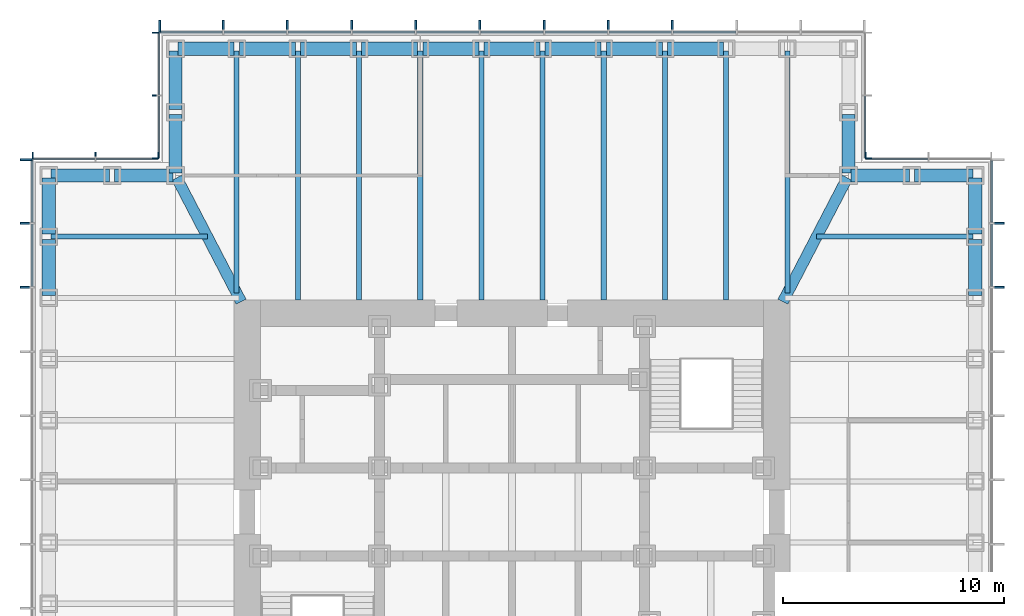
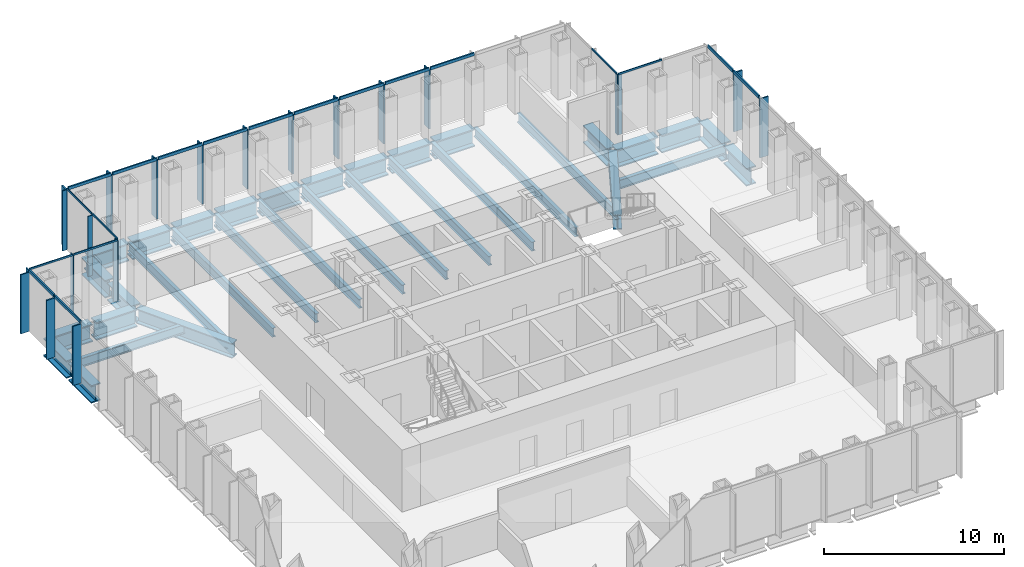
# One storey, part 5 of 16: 41 members, 34 beams, 7 elements without a shape of their own.
"""IFC4 building model written with IfcOpenShell, lengths in metres."""

from ifc_helpers import new_model, si_unit, direction, frame, origin, origin_2d, place, context, subcontext, project, spatial, rectangle, i_section, extrude, material, material_profile, profile_set, type_object, element, aggregate, save


model = new_model("IFC4")

# Units and contexts
model_context = context("Model", 3, precision=1e-05, world=origin(), true_north=direction((0.0, 1.0)))
body_context = subcontext(model_context, "Body", "Model", "MODEL_VIEW")
ifc_project = project(units=[si_unit("LENGTHUNIT", "METRE"), si_unit("AREAUNIT", "SQUARE_METRE"), si_unit("VOLUMEUNIT", "CUBIC_METRE"), si_unit("PLANEANGLEUNIT", "RADIAN"), si_unit("MASSUNIT", "GRAM", prefix="KILO")], contexts=[model_context])

# Site, building, storey
site_placement = place(None, origin())
site = spatial("IfcSite", under=ifc_project, at=site_placement, CompositionType="ELEMENT")
building_placement = place(site_placement, origin())
building = spatial("IfcBuilding", under=site, at=building_placement, Name="Daluyong Arena Tower", CompositionType="ELEMENT")
storey_placement = place(building_placement, frame((0.0, 0.0, 275.5)))
storey = spatial("IfcBuildingStorey", under=building, at=storey_placement, Name="L62", CompositionType="ELEMENT", Elevation=275.5)

# Curtain wall, members
ifc_material_1 = material(Name="Bronze anodised aluminium and glass", Category="aluminium")
curtain_wall_type_1 = type_object("IfcCurtainWallType", Name="Curtain wall CW4", PredefinedType="USERDEFINED", material=ifc_material_1)
curtain_wall_1_placement = place(storey_placement, origin())
curtain_wall_1 = element("IfcCurtainWall", 1, at=curtain_wall_1_placement, inside=storey, type_object=curtain_wall_type_1, Name="curtain wall L62 E", ObjectType="UNITISED CURTAIN WALL", PredefinedType="USERDEFINED")
ifc_material_2 = material(Name="Bronze anodised aluminium fin", Category="aluminium")
ifc_material_profile_1 = material_profile(ifc_material_2, rectangle(XDim=0.550048828125, YDim=0.090087890625, at=origin_2d()))
ifc_profile_set_1 = profile_set([ifc_material_profile_1], Name="Bronze anodised aluminium fin")
member_type_1 = type_object("IfcMemberType", Name="CW4 bronze fin 550x90", PredefinedType="MULLION", material=ifc_profile_set_1)
member_1_placement = place(storey_placement, frame((78.02490234375, 90.181884765625, 0.0), z_axis=(0.0, 0.0, 1.0), x_axis=(-1.0, 0.0, 0.0)))
member_1 = element("IfcMember", 2, at=member_1_placement, type_object=member_type_1, Name="curtain wall L62 E fin 10", PredefinedType="MULLION", context=body_context, shape_type="SweptSolid", body=[
    extrude(rectangle(XDim=0.550048828125, YDim=0.090087890625, at=origin_2d()), origin(), (0.0, 0.0, 1.0), 4.0),
])
member_2_placement = place(storey_placement, frame((78.02490234375, 93.0908203125, 0.0), z_axis=(0.0, 0.0, 1.0), x_axis=(-1.0, 0.0, 0.0)))
member_2 = element("IfcMember", 3, at=member_2_placement, type_object=member_type_1, Name="curtain wall L62 E fin 11", PredefinedType="MULLION", context=body_context, shape_type="SweptSolid", body=[
    extrude(rectangle(XDim=0.550048828125, YDim=0.090087890625, at=origin_2d()), origin(), (0.0, 0.0, 1.0), 4.0),
])

curtain_wall_2_placement = place(storey_placement, origin())
curtain_wall_2 = element("IfcCurtainWall", 4, at=curtain_wall_2_placement, inside=storey, type_object=curtain_wall_type_1, Name="curtain wall L62 N", ObjectType="UNITISED CURTAIN WALL", PredefinedType="USERDEFINED")
member_3_placement = place(storey_placement, frame((63.272705078125, 102.02490234375, 0.0), z_axis=(0.0, 0.0, 1.0), x_axis=(0.0, -1.0, 0.0)))
member_3 = element("IfcMember", 5, at=member_3_placement, type_object=member_type_1, Name="curtain wall L62 N fin 4", PredefinedType="MULLION", context=body_context, shape_type="SweptSolid", body=[
    extrude(rectangle(XDim=0.550048828125, YDim=0.090087890625, at=origin_2d()), origin(), (0.0, 0.0, 1.0), 4.0),
])
member_4_placement = place(storey_placement, frame((60.363525390625, 102.02490234375, 0.0), z_axis=(0.0, 0.0, 1.0), x_axis=(0.0, -1.0, 0.0)))
member_4 = element("IfcMember", 6, at=member_4_placement, type_object=member_type_1, Name="curtain wall L62 N fin 5", PredefinedType="MULLION", context=body_context, shape_type="SweptSolid", body=[
    extrude(rectangle(XDim=0.550048828125, YDim=0.090087890625, at=origin_2d()), origin(), (0.0, 0.0, 1.0), 4.0),
])
member_5_placement = place(storey_placement, frame((57.45458984375, 102.02490234375, 0.0), z_axis=(0.0, 0.0, 1.0), x_axis=(0.0, -1.0, 0.0)))
member_5 = element("IfcMember", 7, at=member_5_placement, type_object=member_type_1, Name="curtain wall L62 N fin 6", PredefinedType="MULLION", context=body_context, shape_type="SweptSolid", body=[
    extrude(rectangle(XDim=0.550048828125, YDim=0.090087890625, at=origin_2d()), origin(), (0.0, 0.0, 1.0), 4.0),
])
member_6_placement = place(storey_placement, frame((54.54541015625, 102.02490234375, 0.0), z_axis=(0.0, 0.0, 1.0), x_axis=(0.0, -1.0, 0.0)))
member_6 = element("IfcMember", 8, at=member_6_placement, type_object=member_type_1, Name="curtain wall L62 N fin 7", PredefinedType="MULLION", context=body_context, shape_type="SweptSolid", body=[
    extrude(rectangle(XDim=0.550048828125, YDim=0.090087890625, at=origin_2d()), origin(), (0.0, 0.0, 1.0), 4.0),
])
member_7_placement = place(storey_placement, frame((51.636474609375, 102.02490234375, 0.0), z_axis=(0.0, 0.0, 1.0), x_axis=(0.0, -1.0, 0.0)))
member_7 = element("IfcMember", 9, at=member_7_placement, type_object=member_type_1, Name="curtain wall L62 N fin 8", PredefinedType="MULLION", context=body_context, shape_type="SweptSolid", body=[
    extrude(rectangle(XDim=0.550048828125, YDim=0.090087890625, at=origin_2d()), origin(), (0.0, 0.0, 1.0), 4.0),
])
member_8_placement = place(storey_placement, frame((48.727294921875, 102.02490234375, 0.0), z_axis=(0.0, 0.0, 1.0), x_axis=(0.0, -1.0, 0.0)))
member_8 = element("IfcMember", 10, at=member_8_placement, type_object=member_type_1, Name="curtain wall L62 N fin 9", PredefinedType="MULLION", context=body_context, shape_type="SweptSolid", body=[
    extrude(rectangle(XDim=0.550048828125, YDim=0.090087890625, at=origin_2d()), origin(), (0.0, 0.0, 1.0), 4.0),
])
member_9_placement = place(storey_placement, frame((45.818115234375, 102.02490234375, 0.0), z_axis=(0.0, 0.0, 1.0), x_axis=(0.0, -1.0, 0.0)))
member_9 = element("IfcMember", 11, at=member_9_placement, type_object=member_type_1, Name="curtain wall L62 N fin 10", PredefinedType="MULLION", context=body_context, shape_type="SweptSolid", body=[
    extrude(rectangle(XDim=0.550048828125, YDim=0.090087890625, at=origin_2d()), origin(), (0.0, 0.0, 1.0), 4.0),
])
member_10_placement = place(storey_placement, frame((42.9091796875, 102.02490234375, 0.0), z_axis=(0.0, 0.0, 1.0), x_axis=(0.0, -1.0, 0.0)))
member_10 = element("IfcMember", 12, at=member_10_placement, type_object=member_type_1, Name="curtain wall L62 N fin 11", PredefinedType="MULLION", context=body_context, shape_type="SweptSolid", body=[
    extrude(rectangle(XDim=0.550048828125, YDim=0.090087890625, at=origin_2d()), origin(), (0.0, 0.0, 1.0), 4.0),
])
member_11_placement = place(storey_placement, frame((40.044921875, 102.02490234375, 0.0), z_axis=(0.0, 0.0, 1.0), x_axis=(0.0, -1.0, 0.0)))
member_11 = element("IfcMember", 13, at=member_11_placement, type_object=member_type_1, Name="curtain wall L62 N fin 12", PredefinedType="MULLION", context=body_context, shape_type="SweptSolid", body=[
    extrude(rectangle(XDim=0.550048828125, YDim=0.090087890625, at=origin_2d()), origin(), (0.0, 0.0, 1.0), 4.0),
])

curtain_wall_3_placement = place(storey_placement, origin())
curtain_wall_3 = element("IfcCurtainWall", 14, at=curtain_wall_3_placement, inside=storey, type_object=curtain_wall_type_1, Name="curtain wall L62 W", ObjectType="UNITISED CURTAIN WALL", PredefinedType="USERDEFINED")
member_12_placement = place(storey_placement, frame((33.97509765625, 95.955078125, 0.0), z_axis=(0.0, 0.0, 1.0), x_axis=(1.0, 0.0, 0.0)))
member_12 = element("IfcMember", 15, at=member_12_placement, type_object=member_type_1, Name="curtain wall L62 W fin 1", PredefinedType="MULLION", context=body_context, shape_type="SweptSolid", body=[
    extrude(rectangle(XDim=0.550048828125, YDim=0.090087890625, at=origin_2d()), origin(), (0.0, 0.0, 1.0), 4.0),
])
member_13_placement = place(storey_placement, frame((33.97509765625, 93.0908203125, 0.0), z_axis=(0.0, 0.0, 1.0), x_axis=(1.0, 0.0, 0.0)))
member_13 = element("IfcMember", 16, at=member_13_placement, type_object=member_type_1, Name="curtain wall L62 W fin 2", PredefinedType="MULLION", context=body_context, shape_type="SweptSolid", body=[
    extrude(rectangle(XDim=0.550048828125, YDim=0.090087890625, at=origin_2d()), origin(), (0.0, 0.0, 1.0), 4.0),
])
member_14_placement = place(storey_placement, frame((33.97509765625, 90.181884765625, 0.0), z_axis=(0.0, 0.0, 1.0), x_axis=(1.0, 0.0, 0.0)))
member_14 = element("IfcMember", 17, at=member_14_placement, type_object=member_type_1, Name="curtain wall L62 W fin 3", PredefinedType="MULLION", context=body_context, shape_type="SweptSolid", body=[
    extrude(rectangle(XDim=0.550048828125, YDim=0.090087890625, at=origin_2d()), origin(), (0.0, 0.0, 1.0), 4.0),
])

# Member
ifc_material_3 = material(Name="Bronze anodised aluminium", Category="aluminium")
ifc_material_profile_2 = material_profile(ifc_material_3, rectangle(XDim=0.090087890625, YDim=0.199951171875, at=origin_2d()))
ifc_profile_set_2 = profile_set([ifc_material_profile_2], Name="Bronze anodised aluminium")
member_type_2 = type_object("IfcMemberType", Name="CW4 stack transom 200x90", PredefinedType="USERDEFINED", material=ifc_profile_set_2)
member_15_placement = place(storey_placement, frame((77.75, 90.226806640625, 4.10009765625), z_axis=(0.0, 1.0, 0.0), x_axis=(-1.0, 0.0, 0.0)))
member_15 = element("IfcMember", 18, at=member_15_placement, type_object=member_type_2, Name="curtain wall L62 E transom 10", ObjectType="TRANSOM", PredefinedType="USERDEFINED", context=body_context, shape_type="SweptSolid", body=[
    extrude(rectangle(XDim=0.090087890625, YDim=0.199951171875, at=origin_2d()), origin(), (0.0, 0.0, 1.0), 2.819091796875),
])

member_16_placement = place(storey_placement, frame((77.75, 93.135986328125, 4.10009765625), z_axis=(0.0, 1.0, 0.0), x_axis=(-1.0, 0.0, 0.0)))
member_16 = element("IfcMember", 19, at=member_16_placement, type_object=member_type_2, Name="curtain wall L62 E transom 11", ObjectType="TRANSOM", PredefinedType="USERDEFINED", context=body_context, shape_type="SweptSolid", body=[
    extrude(rectangle(XDim=0.090087890625, YDim=0.199951171875, at=origin_2d()), origin(), (0.0, 0.0, 1.0), 2.77392578125),
])

aggregate(curtain_wall_1, [member_1, member_2, member_15, member_16])

member_17_placement = place(storey_placement, frame((66.13671875, 101.75, 4.10009765625), z_axis=(-1.0, 0.0, 0.0), x_axis=(0.0, -1.0, 0.0)))
member_17 = element("IfcMember", 20, at=member_17_placement, type_object=member_type_2, Name="curtain wall L62 N transom 3", ObjectType="TRANSOM", PredefinedType="USERDEFINED", context=body_context, shape_type="SweptSolid", body=[
    extrude(rectangle(XDim=0.090087890625, YDim=0.199951171875, at=origin_2d()), origin(), (0.0, 0.0, 1.0), 2.819091796875),
])

member_18_placement = place(storey_placement, frame((63.227783203125, 101.75, 4.10009765625), z_axis=(-1.0, 0.0, 0.0), x_axis=(0.0, -1.0, 0.0)))
member_18 = element("IfcMember", 21, at=member_18_placement, type_object=member_type_2, Name="curtain wall L62 N transom 4", ObjectType="TRANSOM", PredefinedType="USERDEFINED", context=body_context, shape_type="SweptSolid", body=[
    extrude(rectangle(XDim=0.090087890625, YDim=0.199951171875, at=origin_2d()), origin(), (0.0, 0.0, 1.0), 2.819091796875),
])

member_19_placement = place(storey_placement, frame((60.318603515625, 101.75, 4.10009765625), z_axis=(-1.0, 0.0, 0.0), x_axis=(0.0, -1.0, 0.0)))
member_19 = element("IfcMember", 22, at=member_19_placement, type_object=member_type_2, Name="curtain wall L62 N transom 5", ObjectType="TRANSOM", PredefinedType="USERDEFINED", context=body_context, shape_type="SweptSolid", body=[
    extrude(rectangle(XDim=0.090087890625, YDim=0.199951171875, at=origin_2d()), origin(), (0.0, 0.0, 1.0), 2.819091796875),
])

member_20_placement = place(storey_placement, frame((57.409423828125, 101.75, 4.10009765625), z_axis=(-1.0, 0.0, 0.0), x_axis=(0.0, -1.0, 0.0)))
member_20 = element("IfcMember", 23, at=member_20_placement, type_object=member_type_2, Name="curtain wall L62 N transom 6", ObjectType="TRANSOM", PredefinedType="USERDEFINED", context=body_context, shape_type="SweptSolid", body=[
    extrude(rectangle(XDim=0.090087890625, YDim=0.199951171875, at=origin_2d()), origin(), (0.0, 0.0, 1.0), 2.81884765625),
])

member_21_placement = place(storey_placement, frame((54.50048828125, 101.75, 4.10009765625), z_axis=(-1.0, 0.0, 0.0), x_axis=(0.0, -1.0, 0.0)))
member_21 = element("IfcMember", 24, at=member_21_placement, type_object=member_type_2, Name="curtain wall L62 N transom 7", ObjectType="TRANSOM", PredefinedType="USERDEFINED", context=body_context, shape_type="SweptSolid", body=[
    extrude(rectangle(XDim=0.090087890625, YDim=0.199951171875, at=origin_2d()), origin(), (0.0, 0.0, 1.0), 2.819091796875),
])

member_22_placement = place(storey_placement, frame((51.59130859375, 101.75, 4.10009765625), z_axis=(-1.0, 0.0, 0.0), x_axis=(0.0, -1.0, 0.0)))
member_22 = element("IfcMember", 25, at=member_22_placement, type_object=member_type_2, Name="curtain wall L62 N transom 8", ObjectType="TRANSOM", PredefinedType="USERDEFINED", context=body_context, shape_type="SweptSolid", body=[
    extrude(rectangle(XDim=0.090087890625, YDim=0.199951171875, at=origin_2d()), origin(), (0.0, 0.0, 1.0), 2.819091796875),
])

member_23_placement = place(storey_placement, frame((48.682373046875, 101.75, 4.10009765625), z_axis=(-1.0, 0.0, 0.0), x_axis=(0.0, -1.0, 0.0)))
member_23 = element("IfcMember", 26, at=member_23_placement, type_object=member_type_2, Name="curtain wall L62 N transom 9", ObjectType="TRANSOM", PredefinedType="USERDEFINED", context=body_context, shape_type="SweptSolid", body=[
    extrude(rectangle(XDim=0.090087890625, YDim=0.199951171875, at=origin_2d()), origin(), (0.0, 0.0, 1.0), 2.819091796875),
])

member_24_placement = place(storey_placement, frame((45.773193359375, 101.75, 4.10009765625), z_axis=(-1.0, 0.0, 0.0), x_axis=(0.0, -1.0, 0.0)))
member_24 = element("IfcMember", 27, at=member_24_placement, type_object=member_type_2, Name="curtain wall L62 N transom 10", ObjectType="TRANSOM", PredefinedType="USERDEFINED", context=body_context, shape_type="SweptSolid", body=[
    extrude(rectangle(XDim=0.090087890625, YDim=0.199951171875, at=origin_2d()), origin(), (0.0, 0.0, 1.0), 2.819091796875),
])

member_25_placement = place(storey_placement, frame((42.864013671875, 101.75, 4.10009765625), z_axis=(-1.0, 0.0, 0.0), x_axis=(0.0, -1.0, 0.0)))
member_25 = element("IfcMember", 28, at=member_25_placement, type_object=member_type_2, Name="curtain wall L62 N transom 11", ObjectType="TRANSOM", PredefinedType="USERDEFINED", context=body_context, shape_type="SweptSolid", body=[
    extrude(rectangle(XDim=0.090087890625, YDim=0.199951171875, at=origin_2d()), origin(), (0.0, 0.0, 1.0), 2.77392578125),
])

aggregate(curtain_wall_2, [member_3, member_4, member_5, member_6, member_7, member_8, member_9, member_10, member_11, member_17, member_18, member_19, member_20, member_21, member_22, member_23, member_24, member_25])

member_26_placement = place(storey_placement, frame((34.25, 95.909912109375, 4.10009765625), z_axis=(0.0, -1.0, 0.0), x_axis=(1.0, 0.0, 0.0)))
member_26 = element("IfcMember", 29, at=member_26_placement, type_object=member_type_2, Name="curtain wall L62 W transom 1", ObjectType="TRANSOM", PredefinedType="USERDEFINED", context=body_context, shape_type="SweptSolid", body=[
    extrude(rectangle(XDim=0.090087890625, YDim=0.199951171875, at=origin_2d()), origin(), (0.0, 0.0, 1.0), 2.77392578125),
])

member_27_placement = place(storey_placement, frame((34.25, 93.0458984375, 4.10009765625), z_axis=(0.0, -1.0, 0.0), x_axis=(1.0, 0.0, 0.0)))
member_27 = element("IfcMember", 30, at=member_27_placement, type_object=member_type_2, Name="curtain wall L62 W transom 2", ObjectType="TRANSOM", PredefinedType="USERDEFINED", context=body_context, shape_type="SweptSolid", body=[
    extrude(rectangle(XDim=0.090087890625, YDim=0.199951171875, at=origin_2d()), origin(), (0.0, 0.0, 1.0), 2.819091796875),
])

aggregate(curtain_wall_3, [member_12, member_13, member_14, member_26, member_27])

# Curtain wall, member
ifc_material_4 = material(Name="Bronze anodised aluminium and glass", Category="aluminium")
curtain_wall_type_2 = type_object("IfcCurtainWallType", Name="Curtain wall CW7", PredefinedType="USERDEFINED", material=ifc_material_4)
curtain_wall_4_placement = place(storey_placement, origin())
curtain_wall_4 = element("IfcCurtainWall", 31, at=curtain_wall_4_placement, inside=storey, type_object=curtain_wall_type_2, Name="curtain wall L62 NE-N", ObjectType="UNITISED CURTAIN WALL", PredefinedType="USERDEFINED")
ifc_material_5 = material(Name="Bronze anodised aluminium fin", Category="aluminium")
ifc_material_profile_3 = material_profile(ifc_material_5, rectangle(XDim=0.300048828125, YDim=0.06005859375, at=origin_2d()))
ifc_profile_set_3 = profile_set([ifc_material_profile_3], Name="Bronze anodised aluminium fin")
member_type_3 = type_object("IfcMemberType", Name="CW7 bronze fin 300x60", PredefinedType="MULLION", material=ifc_profile_set_3)
member_28_placement = place(storey_placement, frame((72.030029296875, 96.14990234375, 0.0), z_axis=(0.0, 0.0, 1.0), x_axis=(0.0, -1.0, 0.0)))
member_28 = element("IfcMember", 32, at=member_28_placement, type_object=member_type_3, Name="curtain wall L62 NE-N fin 3", PredefinedType="MULLION", context=body_context, shape_type="SweptSolid", body=[
    extrude(rectangle(XDim=0.300048828125, YDim=0.06005859375, at=origin_2d()), origin(), (0.0, 0.0, 1.0), 4.080078125),
])

curtain_wall_5_placement = place(storey_placement, origin())
curtain_wall_5 = element("IfcCurtainWall", 33, at=curtain_wall_5_placement, inside=storey, type_object=curtain_wall_type_2, Name="curtain wall L62 NE-E", ObjectType="UNITISED CURTAIN WALL", PredefinedType="USERDEFINED")
member_29_placement = place(storey_placement, frame((72.14990234375, 96.030029296875, 0.0), z_axis=(0.0, 0.0, 1.0), x_axis=(-1.0, 0.0, 0.0)))
member_29 = element("IfcMember", 34, at=member_29_placement, type_object=member_type_3, Name="curtain wall L62 NE-E fin 1", PredefinedType="MULLION", context=body_context, shape_type="SweptSolid", body=[
    extrude(rectangle(XDim=0.300048828125, YDim=0.06005859375, at=origin_2d()), origin(), (0.0, 0.0, 1.0), 4.080078125),
])

# Curtain wall, members
curtain_wall_6_placement = place(storey_placement, origin())
curtain_wall_6 = element("IfcCurtainWall", 35, at=curtain_wall_6_placement, inside=storey, type_object=curtain_wall_type_2, Name="curtain wall L62 NW-W", ObjectType="UNITISED CURTAIN WALL", PredefinedType="USERDEFINED")
member_30_placement = place(storey_placement, frame((39.85009765625, 101.719970703125, 0.0), z_axis=(0.0, 0.0, 1.0), x_axis=(1.0, 0.0, 0.0)))
member_30 = element("IfcMember", 36, at=member_30_placement, type_object=member_type_3, Name="curtain wall L62 NW-W fin 1", PredefinedType="MULLION", context=body_context, shape_type="SweptSolid", body=[
    extrude(rectangle(XDim=0.300048828125, YDim=0.06005859375, at=origin_2d()), origin(), (0.0, 0.0, 1.0), 4.080078125),
])
member_31_placement = place(storey_placement, frame((39.85009765625, 98.875, 0.0), z_axis=(0.0, 0.0, 1.0), x_axis=(1.0, 0.0, 0.0)))
member_31 = element("IfcMember", 37, at=member_31_placement, type_object=member_type_3, Name="curtain wall L62 NW-W fin 2", PredefinedType="MULLION", context=body_context, shape_type="SweptSolid", body=[
    extrude(rectangle(XDim=0.300048828125, YDim=0.06005859375, at=origin_2d()), origin(), (0.0, 0.0, 1.0), 4.080078125),
])
member_32_placement = place(storey_placement, frame((39.85009765625, 96.030029296875, 0.0), z_axis=(0.0, 0.0, 1.0), x_axis=(1.0, 0.0, 0.0)))
member_32 = element("IfcMember", 38, at=member_32_placement, type_object=member_type_3, Name="curtain wall L62 NW-W fin 3", PredefinedType="MULLION", context=body_context, shape_type="SweptSolid", body=[
    extrude(rectangle(XDim=0.300048828125, YDim=0.06005859375, at=origin_2d()), origin(), (0.0, 0.0, 1.0), 4.080078125),
])

curtain_wall_7_placement = place(storey_placement, origin())
curtain_wall_7 = element("IfcCurtainWall", 39, at=curtain_wall_7_placement, inside=storey, type_object=curtain_wall_type_2, Name="curtain wall L62 NW-N", ObjectType="UNITISED CURTAIN WALL", PredefinedType="USERDEFINED")
member_33_placement = place(storey_placement, frame((39.969970703125, 96.14990234375, 0.0), z_axis=(0.0, 0.0, 1.0), x_axis=(0.0, -1.0, 0.0)))
member_33 = element("IfcMember", 40, at=member_33_placement, type_object=member_type_3, Name="curtain wall L62 NW-N fin 1", PredefinedType="MULLION", context=body_context, shape_type="SweptSolid", body=[
    extrude(rectangle(XDim=0.300048828125, YDim=0.06005859375, at=origin_2d()), origin(), (0.0, 0.0, 1.0), 4.080078125),
])
member_34_placement = place(storey_placement, frame((37.125, 96.14990234375, 0.0), z_axis=(0.0, 0.0, 1.0), x_axis=(0.0, -1.0, 0.0)))
member_34 = element("IfcMember", 41, at=member_34_placement, type_object=member_type_3, Name="curtain wall L62 NW-N fin 2", PredefinedType="MULLION", context=body_context, shape_type="SweptSolid", body=[
    extrude(rectangle(XDim=0.300048828125, YDim=0.06005859375, at=origin_2d()), origin(), (0.0, 0.0, 1.0), 4.080078125),
])
member_35_placement = place(storey_placement, frame((34.280029296875, 96.14990234375, 0.0), z_axis=(0.0, 0.0, 1.0), x_axis=(0.0, -1.0, 0.0)))
member_35 = element("IfcMember", 42, at=member_35_placement, type_object=member_type_3, Name="curtain wall L62 NW-N fin 3", PredefinedType="MULLION", context=body_context, shape_type="SweptSolid", body=[
    extrude(rectangle(XDim=0.300048828125, YDim=0.06005859375, at=origin_2d()), origin(), (0.0, 0.0, 1.0), 4.080078125),
])

# Member
ifc_material_6 = material(Name="Bronze anodised aluminium", Category="aluminium")
ifc_material_profile_4 = material_profile(ifc_material_6, rectangle(XDim=0.06005859375, YDim=0.1201171875, at=origin_2d()))
ifc_profile_set_4 = profile_set([ifc_material_profile_4], Name="Bronze anodised aluminium")
member_type_4 = type_object("IfcMemberType", Name="CW7 stack transom 120x60", PredefinedType="USERDEFINED", material=ifc_profile_set_4)
member_36_placement = place(storey_placement, frame((74.844970703125, 96.0, 4.139892578125), z_axis=(-1.0, 0.0, 0.0), x_axis=(0.0, -1.0, 0.0)))
member_36 = element("IfcMember", 43, at=member_36_placement, type_object=member_type_4, Name="curtain wall L62 NE-N transom 2", ObjectType="TRANSOM", PredefinedType="USERDEFINED", context=body_context, shape_type="SweptSolid", body=[
    extrude(rectangle(XDim=0.06005859375, YDim=0.1201171875, at=origin_2d()), origin(), (0.0, 0.0, 1.0), 2.784912109375),
])

aggregate(curtain_wall_4, [member_28, member_36])

member_37_placement = place(storey_placement, frame((72.0, 96.06005859375, 4.139892578125), z_axis=(0.0, 1.0, 0.0), x_axis=(-1.0, 0.0, 0.0)))
member_37 = element("IfcMember", 44, at=member_37_placement, type_object=member_type_4, Name="curtain wall L62 NE-E transom 1", ObjectType="TRANSOM", PredefinedType="USERDEFINED", context=body_context, shape_type="SweptSolid", body=[
    extrude(rectangle(XDim=0.06005859375, YDim=0.1201171875, at=origin_2d()), origin(), (0.0, 0.0, 1.0), 2.784912109375),
])

aggregate(curtain_wall_5, [member_29, member_37])

member_38_placement = place(storey_placement, frame((40.0, 101.68994140625, 4.139892578125), z_axis=(0.0, -1.0, 0.0), x_axis=(1.0, 0.0, 0.0)))
member_38 = element("IfcMember", 45, at=member_38_placement, type_object=member_type_4, Name="curtain wall L62 NW-W transom 1", ObjectType="TRANSOM", PredefinedType="USERDEFINED", context=body_context, shape_type="SweptSolid", body=[
    extrude(rectangle(XDim=0.06005859375, YDim=0.1201171875, at=origin_2d()), origin(), (0.0, 0.0, 1.0), 2.784912109375),
])

member_39_placement = place(storey_placement, frame((40.0, 98.844970703125, 4.139892578125), z_axis=(0.0, -1.0, 0.0), x_axis=(1.0, 0.0, 0.0)))
member_39 = element("IfcMember", 46, at=member_39_placement, type_object=member_type_4, Name="curtain wall L62 NW-W transom 2", ObjectType="TRANSOM", PredefinedType="USERDEFINED", context=body_context, shape_type="SweptSolid", body=[
    extrude(rectangle(XDim=0.06005859375, YDim=0.1201171875, at=origin_2d()), origin(), (0.0, 0.0, 1.0), 2.784912109375),
])

aggregate(curtain_wall_6, [member_30, member_31, member_32, member_38, member_39])

member_40_placement = place(storey_placement, frame((39.93994140625, 96.0, 4.139892578125), z_axis=(-1.0, 0.0, 0.0), x_axis=(0.0, -1.0, 0.0)))
member_40 = element("IfcMember", 47, at=member_40_placement, type_object=member_type_4, Name="curtain wall L62 NW-N transom 1", ObjectType="TRANSOM", PredefinedType="USERDEFINED", context=body_context, shape_type="SweptSolid", body=[
    extrude(rectangle(XDim=0.06005859375, YDim=0.1201171875, at=origin_2d()), origin(), (0.0, 0.0, 1.0), 2.784912109375),
])

member_41_placement = place(storey_placement, frame((37.094970703125, 96.0, 4.139892578125), z_axis=(-1.0, 0.0, 0.0), x_axis=(0.0, -1.0, 0.0)))
member_41 = element("IfcMember", 48, at=member_41_placement, type_object=member_type_4, Name="curtain wall L62 NW-N transom 2", ObjectType="TRANSOM", PredefinedType="USERDEFINED", context=body_context, shape_type="SweptSolid", body=[
    extrude(rectangle(XDim=0.06005859375, YDim=0.1201171875, at=origin_2d()), origin(), (0.0, 0.0, 1.0), 2.784912109375),
])

aggregate(curtain_wall_7, [member_33, member_34, member_35, member_40, member_41])

# Beams
ifc_material_7 = material(Name="Steel ASTM A572 Grade 50", Category="steel")
ifc_material_profile_5 = material_profile(ifc_material_7, i_section(OverallWidth=0.5, OverallDepth=1.0, WebThickness=0.03, FlangeThickness=0.06, at=origin_2d()))
ifc_profile_set_5 = profile_set([ifc_material_profile_5], Name="Steel ASTM A572 Grade 50")
beam_type_1 = type_object("IfcBeamType", Name="Corner girder TB1000X500", PredefinedType="BEAM", material=ifc_profile_set_5)
for number, where, z_axis, x_axis, name in (
    (49, (71.197021484375, 95.14794921875, -0.659912109375), (-0.461351522179, -0.887217432754, 0.0), (0.887217432754, -0.461351522179, 0.0), "corner girder DG2"),
    (50, (40.802978515625, 95.14794921875, -0.659912109375), (0.461351522179, -0.887217432754, 0.0), (0.887217432754, 0.461351522179, 0.0), "corner girder DG2"),
):
    element("IfcBeam", number, at=place(storey_placement, frame(where, z_axis=z_axis, x_axis=x_axis)), inside=storey, type_object=beam_type_1, Name=name, PredefinedType="BEAM", context=body_context, shape_type="SweptSolid", body=[
        extrude(i_section(OverallWidth=0.5, OverallDepth=1.0, WebThickness=0.03, FlangeThickness=0.06, at=origin_2d()), origin(), (0.0, 0.0, 1.0), 6.32958984375),
    ])
ifc_material_8 = material(Name="Steel ASTM A992 Grade 50", Category="steel")
ifc_material_profile_6 = material_profile(ifc_material_8, i_section(OverallWidth=0.22900390625, OverallDepth=0.612060546875, WebThickness=0.011962890625, FlangeThickness=0.01953125, at=origin_2d()))
ifc_profile_set_6 = profile_set([ifc_material_profile_6], Name="Steel ASTM A992 Grade 50")
beam_type_2 = type_object("IfcBeamType", Name="Floor beam W24X84", PredefinedType="BEAM", material=ifc_profile_set_6)
beam_1_placement = place(storey_placement, frame((76.885009765625, 92.477294921875, -0.466064453125), z_axis=(-1.0, 0.0, 0.0), x_axis=(0.0, -1.0, 0.0)))
element("IfcBeam", 51, at=beam_1_placement, inside=storey, type_object=beam_type_2, Name="floor beam FB3", PredefinedType="BEAM", context=body_context, shape_type="SweptSolid", body=[
    extrude(i_section(OverallWidth=0.22900390625, OverallDepth=0.612060546875, WebThickness=0.011962890625, FlangeThickness=0.01953125, at=origin_2d()), origin(), (0.0, 0.0, 1.0), 7.076904296875),
])
beam_2_placement = place(storey_placement, frame((68.477294921875, 100.885009765625, -0.466064453125), z_axis=(0.0, -1.0, 0.0), x_axis=(1.0, 0.0, 0.0)))
element("IfcBeam", 52, at=beam_2_placement, inside=storey, type_object=beam_type_2, Name="floor beam FB3", PredefinedType="BEAM", context=body_context, shape_type="SweptSolid", body=[
    extrude(i_section(OverallWidth=0.22900390625, OverallDepth=0.612060546875, WebThickness=0.011962890625, FlangeThickness=0.01953125, at=origin_2d()), origin(), (0.0, 0.0, 1.0), 10.96728515625),
])
for number, where, z_axis, x_axis, name in (
    (53, (65.70458984375, 100.885009765625, -0.466064453125), (0.0, -1.0, 0.0), (1.0, 0.0, 0.0), "floor beam FB3"),
    (54, (62.931884765625, 100.885009765625, -0.466064453125), (0.0, -1.0, 0.0), (1.0, 0.0, 0.0), "floor beam FB3"),
    (55, (60.1591796875, 100.885009765625, -0.466064453125), (0.0, -1.0, 0.0), (1.0, 0.0, 0.0), "floor beam FB3"),
    (56, (57.386474609375, 100.885009765625, -0.466064453125), (0.0, -1.0, 0.0), (1.0, 0.0, 0.0), "floor beam FB3"),
    (57, (54.613525390625, 100.885009765625, -0.466064453125), (0.0, -1.0, 0.0), (1.0, 0.0, 0.0), "floor beam FB3"),
    (58, (51.8408203125, 100.885009765625, -0.466064453125), (0.0, -1.0, 0.0), (1.0, 0.0, 0.0), "floor beam FB3"),
    (59, (49.068115234375, 100.885009765625, -0.466064453125), (0.0, -1.0, 0.0), (1.0, 0.0, 0.0), "floor beam FB3"),
    (60, (46.29541015625, 100.885009765625, -0.466064453125), (0.0, -1.0, 0.0), (1.0, 0.0, 0.0), "floor beam FB3"),
):
    element("IfcBeam", number, at=place(storey_placement, frame(where, z_axis=z_axis, x_axis=x_axis)), inside=storey, type_object=beam_type_2, Name=name, PredefinedType="BEAM", context=body_context, shape_type="SweptSolid", body=[
        extrude(i_section(OverallWidth=0.22900390625, OverallDepth=0.612060546875, WebThickness=0.011962890625, FlangeThickness=0.01953125, at=origin_2d()), origin(), (0.0, 0.0, 1.0), 11.284912109375),
    ])
beam_3_placement = place(storey_placement, frame((43.522705078125, 100.885009765625, -0.466064453125), z_axis=(0.0, -1.0, 0.0), x_axis=(1.0, 0.0, 0.0)))
element("IfcBeam", 61, at=beam_3_placement, inside=storey, type_object=beam_type_2, Name="floor beam FB3", PredefinedType="BEAM", context=body_context, shape_type="SweptSolid", body=[
    extrude(i_section(OverallWidth=0.22900390625, OverallDepth=0.612060546875, WebThickness=0.011962890625, FlangeThickness=0.01953125, at=origin_2d()), origin(), (0.0, 0.0, 1.0), 10.96728515625),
])
beam_4_placement = place(storey_placement, frame((35.114990234375, 92.477294921875, -0.466064453125), z_axis=(1.0, 0.0, 0.0), x_axis=(0.0, 1.0, 0.0)))
element("IfcBeam", 62, at=beam_4_placement, inside=storey, type_object=beam_type_2, Name="floor beam FB3", PredefinedType="BEAM", context=body_context, shape_type="SweptSolid", body=[
    extrude(i_section(OverallWidth=0.22900390625, OverallDepth=0.612060546875, WebThickness=0.011962890625, FlangeThickness=0.01953125, at=origin_2d()), origin(), (0.0, 0.0, 1.0), 7.076904296875),
])
ifc_material_9 = material(Name="Steel ASTM A572 Grade 50", Category="steel")
ifc_material_profile_7 = material_profile(ifc_material_9, i_section(OverallWidth=0.60009765625, OverallDepth=1.199951171875, WebThickness=0.03, FlangeThickness=0.08, at=origin_2d()))
ifc_profile_set_7 = profile_set([ifc_material_profile_7], Name="Steel ASTM A572 Grade 50")
beam_type_3 = type_object("IfcBeamType", Name="Spandrel Z4 PG1200X600", PredefinedType="SPANDREL", material=ifc_profile_set_7)
for number, where, z_axis, x_axis, name in (
    (63, (77.0, 89.819580078125, -0.760009765625), (0.0, 1.0, 0.0), (-1.0, 0.0, 0.0), "spandrel z4 SB9"),
    (64, (77.0, 92.59228515625, -0.760009765625), (0.0, 1.0, 0.0), (-1.0, 0.0, 0.0), "spandrel z4 SB9"),
):
    element("IfcBeam", number, at=place(storey_placement, frame(where, z_axis=z_axis, x_axis=x_axis)), inside=storey, type_object=beam_type_3, Name=name, PredefinedType="SPANDREL", context=body_context, shape_type="SweptSolid", body=[
        extrude(i_section(OverallWidth=0.60009765625, OverallDepth=1.199951171875, WebThickness=0.03, FlangeThickness=0.08, at=origin_2d()), origin(), (0.0, 0.0, 1.0), 2.542724609375),
    ])
for number, where, z_axis, x_axis, name in (
    (65, (76.885009765625, 95.25, -0.760009765625), (-1.0, 0.0, 0.0), (0.0, -1.0, 0.0), "spandrel z4 SB9"),
    (66, (74.010009765625, 95.25, -0.760009765625), (-1.0, 0.0, 0.0), (0.0, -1.0, 0.0), "spandrel z4 SB9"),
    (67, (71.25, 95.364990234375, -0.760009765625), (0.0, 1.0, 0.0), (-1.0, 0.0, 0.0), "spandrel z4 SB9"),
):
    element("IfcBeam", number, at=place(storey_placement, frame(where, z_axis=z_axis, x_axis=x_axis)), inside=storey, type_object=beam_type_3, Name=name, PredefinedType="SPANDREL", context=body_context, shape_type="SweptSolid", body=[
        extrude(i_section(OverallWidth=0.60009765625, OverallDepth=1.199951171875, WebThickness=0.03, FlangeThickness=0.08, at=origin_2d()), origin(), (0.0, 0.0, 1.0), 2.64501953125),
    ])
for number, where, z_axis, x_axis, name in (
    (68, (65.589599609375, 101.0, -0.760009765625), (-1.0, 0.0, 0.0), (0.0, -1.0, 0.0), "spandrel z4 SB9"),
    (69, (62.81689453125, 101.0, -0.760009765625), (-1.0, 0.0, 0.0), (0.0, -1.0, 0.0), "spandrel z4 SB9"),
    (70, (60.044189453125, 101.0, -0.760009765625), (-1.0, 0.0, 0.0), (0.0, -1.0, 0.0), "spandrel z4 SB9"),
):
    element("IfcBeam", number, at=place(storey_placement, frame(where, z_axis=z_axis, x_axis=x_axis)), inside=storey, type_object=beam_type_3, Name=name, PredefinedType="SPANDREL", context=body_context, shape_type="SweptSolid", body=[
        extrude(i_section(OverallWidth=0.60009765625, OverallDepth=1.199951171875, WebThickness=0.03, FlangeThickness=0.08, at=origin_2d()), origin(), (0.0, 0.0, 1.0), 2.542724609375),
    ])
beam_5_placement = place(storey_placement, frame((57.271484375, 101.0, -0.760009765625), z_axis=(-1.0, 0.0, 0.0), x_axis=(0.0, -1.0, 0.0)))
element("IfcBeam", 71, at=beam_5_placement, inside=storey, type_object=beam_type_3, Name="spandrel z4 SB9", PredefinedType="SPANDREL", context=body_context, shape_type="SweptSolid", body=[
    extrude(i_section(OverallWidth=0.60009765625, OverallDepth=1.199951171875, WebThickness=0.03, FlangeThickness=0.08, at=origin_2d()), origin(), (0.0, 0.0, 1.0), 2.54296875),
])
for number, where, z_axis, x_axis, name in (
    (72, (54.49853515625, 101.0, -0.760009765625), (-1.0, 0.0, 0.0), (0.0, -1.0, 0.0), "spandrel z4 SB9"),
    (73, (51.725830078125, 101.0, -0.760009765625), (-1.0, 0.0, 0.0), (0.0, -1.0, 0.0), "spandrel z4 SB9"),
    (74, (48.953125, 101.0, -0.760009765625), (-1.0, 0.0, 0.0), (0.0, -1.0, 0.0), "spandrel z4 SB9"),
    (75, (46.180419921875, 101.0, -0.760009765625), (-1.0, 0.0, 0.0), (0.0, -1.0, 0.0), "spandrel z4 SB9"),
    (76, (43.40771484375, 101.0, -0.760009765625), (-1.0, 0.0, 0.0), (0.0, -1.0, 0.0), "spandrel z4 SB9"),
):
    element("IfcBeam", number, at=place(storey_placement, frame(where, z_axis=z_axis, x_axis=x_axis)), inside=storey, type_object=beam_type_3, Name=name, PredefinedType="SPANDREL", context=body_context, shape_type="SweptSolid", body=[
        extrude(i_section(OverallWidth=0.60009765625, OverallDepth=1.199951171875, WebThickness=0.03, FlangeThickness=0.08, at=origin_2d()), origin(), (0.0, 0.0, 1.0), 2.542724609375),
    ])
for number, where, z_axis, x_axis, name in (
    (77, (40.75, 100.885009765625, -0.760009765625), (0.0, -1.0, 0.0), (1.0, 0.0, 0.0), "spandrel z4 SB9"),
    (78, (40.75, 98.010009765625, -0.760009765625), (0.0, -1.0, 0.0), (1.0, 0.0, 0.0), "spandrel z4 SB9"),
    (79, (40.635009765625, 95.25, -0.760009765625), (-1.0, 0.0, 0.0), (0.0, -1.0, 0.0), "spandrel z4 SB9"),
    (80, (37.760009765625, 95.25, -0.760009765625), (-1.0, 0.0, 0.0), (0.0, -1.0, 0.0), "spandrel z4 SB9"),
):
    element("IfcBeam", number, at=place(storey_placement, frame(where, z_axis=z_axis, x_axis=x_axis)), inside=storey, type_object=beam_type_3, Name=name, PredefinedType="SPANDREL", context=body_context, shape_type="SweptSolid", body=[
        extrude(i_section(OverallWidth=0.60009765625, OverallDepth=1.199951171875, WebThickness=0.03, FlangeThickness=0.08, at=origin_2d()), origin(), (0.0, 0.0, 1.0), 2.64501953125),
    ])
for number, where, z_axis, x_axis, name in (
    (81, (35.0, 95.135009765625, -0.760009765625), (0.0, -1.0, 0.0), (1.0, 0.0, 0.0), "spandrel z4 SB9"),
    (82, (35.0, 92.3623046875, -0.760009765625), (0.0, -1.0, 0.0), (1.0, 0.0, 0.0), "spandrel z4 SB9"),
):
    element("IfcBeam", number, at=place(storey_placement, frame(where, z_axis=z_axis, x_axis=x_axis)), inside=storey, type_object=beam_type_3, Name=name, PredefinedType="SPANDREL", context=body_context, shape_type="SweptSolid", body=[
        extrude(i_section(OverallWidth=0.60009765625, OverallDepth=1.199951171875, WebThickness=0.03, FlangeThickness=0.08, at=origin_2d()), origin(), (0.0, 0.0, 1.0), 2.542724609375),
    ])

save(model, "model.ifc")
